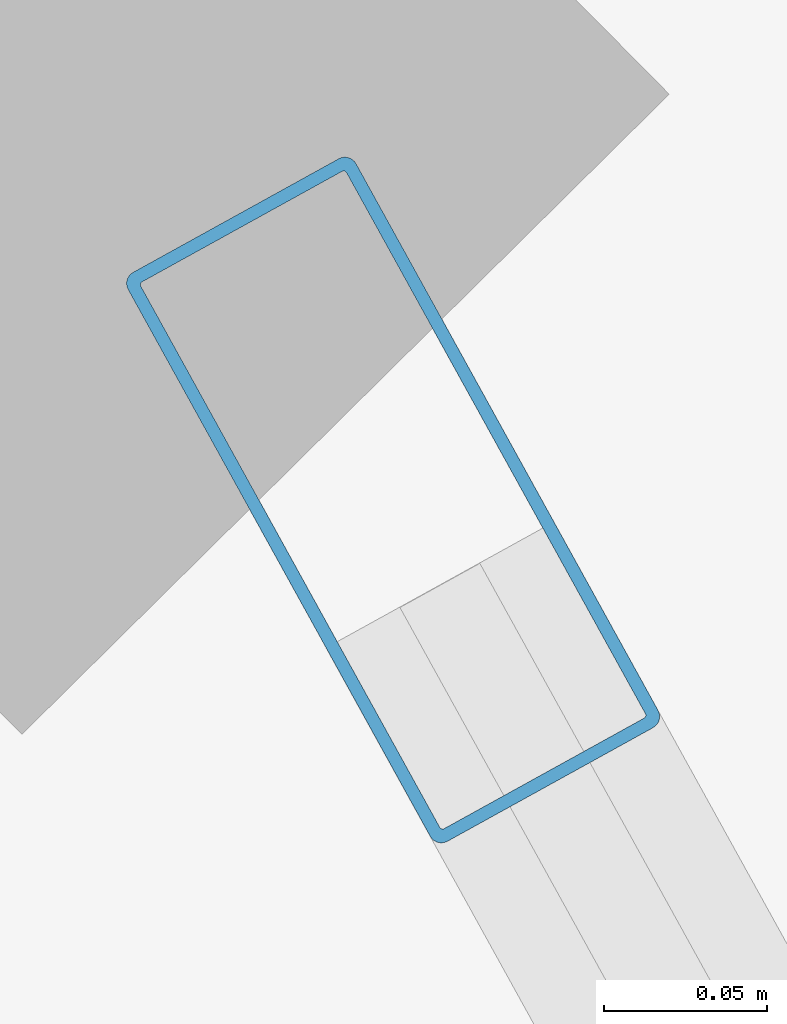
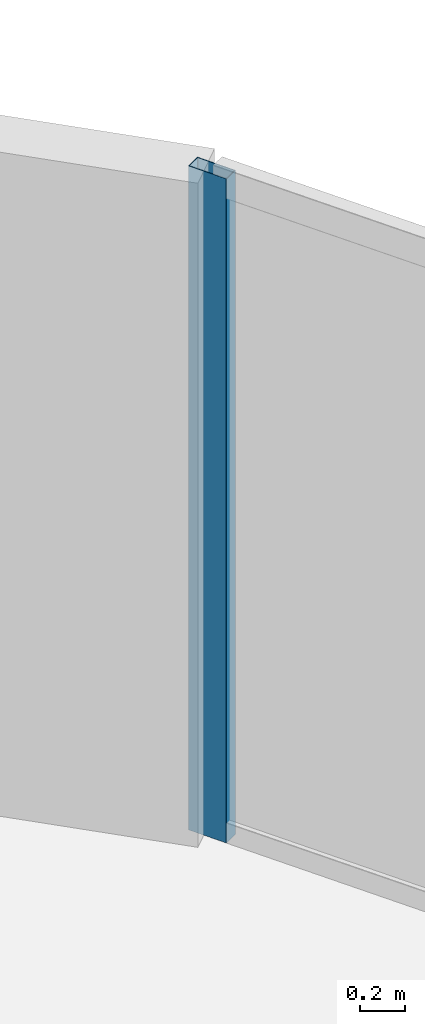
# One storey, part 13 of 20: 1 member, 1 element without a shape of its own.
"""IFC4 building model written with IfcOpenShell, lengths in metres."""

from ifc_helpers import new_model, si_unit, direction, frame, origin, origin_2d, place, context, subcontext, project, spatial, hollow_rectangle, extrude, material, layer, layer_set, material_profile, profile_set, type_object, element, aggregate, save


model = new_model("IFC4")

# Units and contexts
model_context = context("Model", 3, precision=1e-05, world=origin(), true_north=direction((0.0, 1.0)))
body_context = subcontext(model_context, "Body", "Model", "MODEL_VIEW")
ifc_project = project(units=[si_unit("LENGTHUNIT", "METRE"), si_unit("AREAUNIT", "SQUARE_METRE"), si_unit("VOLUMEUNIT", "CUBIC_METRE"), si_unit("PLANEANGLEUNIT", "RADIAN"), si_unit("MASSUNIT", "GRAM", prefix="KILO")], contexts=[model_context])

# Site, building, storey
site_placement = place(None, origin())
site = spatial("IfcSite", under=ifc_project, at=site_placement, CompositionType="ELEMENT")
building_placement = place(site_placement, origin())
building = spatial("IfcBuilding", under=site, at=building_placement, Name="Bramvorn Convention Spire", CompositionType="ELEMENT")
storey_placement = place(building_placement, frame((0.0, 0.0, 245.89990234375)))
storey = spatial("IfcBuildingStorey", under=building, at=storey_placement, Name="L62", CompositionType="ELEMENT", Elevation=245.89990234375)

# Curtain wall, member
ifc_material_1 = material(Name="Anodised Bronze Unitised Curtain Wall", Category="aluminium")
ifc_layer = layer(ifc_material_1, 0.179931640625)
ifc_layer_set = layer_set([ifc_layer], Name="Anodised Bronze Unitised Curtain Wall - CW-OFF-FRIT")
curtain_wall_type = type_object("IfcCurtainWallType", Name="CW-OFF-FRIT", PredefinedType="USERDEFINED", material=ifc_layer_set)
curtain_wall_placement = place(storey_placement, origin())
curtain_wall = element("IfcCurtainWall", 1, at=curtain_wall_placement, inside=storey, type_object=curtain_wall_type, Name="L62 fritted glass curtain wall 06", ObjectType="UNITISED CURTAIN WALL", PredefinedType="USERDEFINED")
ifc_material_2 = material(Name="Anodised Bronze Aluminium 6063-T6", Category="aluminium")
ifc_material_profile = material_profile(ifc_material_2, hollow_rectangle(XDim=0.080078125, YDim=0.199951171875, WallThickness=0.00390625, InnerFilletRadius=0.0009765625, OuterFilletRadius=0.00390625, at=origin_2d()))
ifc_profile_set = profile_set([ifc_material_profile], Name="Anodised Bronze Aluminium 6063-T6 - CWM80X200")
member_type = type_object("IfcMemberType", Name="CW-MUL-180", PredefinedType="MULLION", material=ifc_profile_set)
member_placement = place(storey_placement, frame((53.70947265625, 39.213623046875, 0.0), z_axis=(0.0, 0.0, 1.0), x_axis=(0.875308947838, 0.483564107264, 0.0)))
member = element("IfcMember", 2, at=member_placement, type_object=member_type, Name="CW3 mullion 1", PredefinedType="MULLION", context=body_context, shape_type="SweptSolid", body=[
    extrude(hollow_rectangle(XDim=0.080078125, YDim=0.199951171875, WallThickness=0.00390625, InnerFilletRadius=0.0009765625, OuterFilletRadius=0.00390625, at=origin_2d()), origin(), (0.0, 0.0, 1.0), 3.625),
])
aggregate(curtain_wall, [member])

save(model, "model.ifc")
